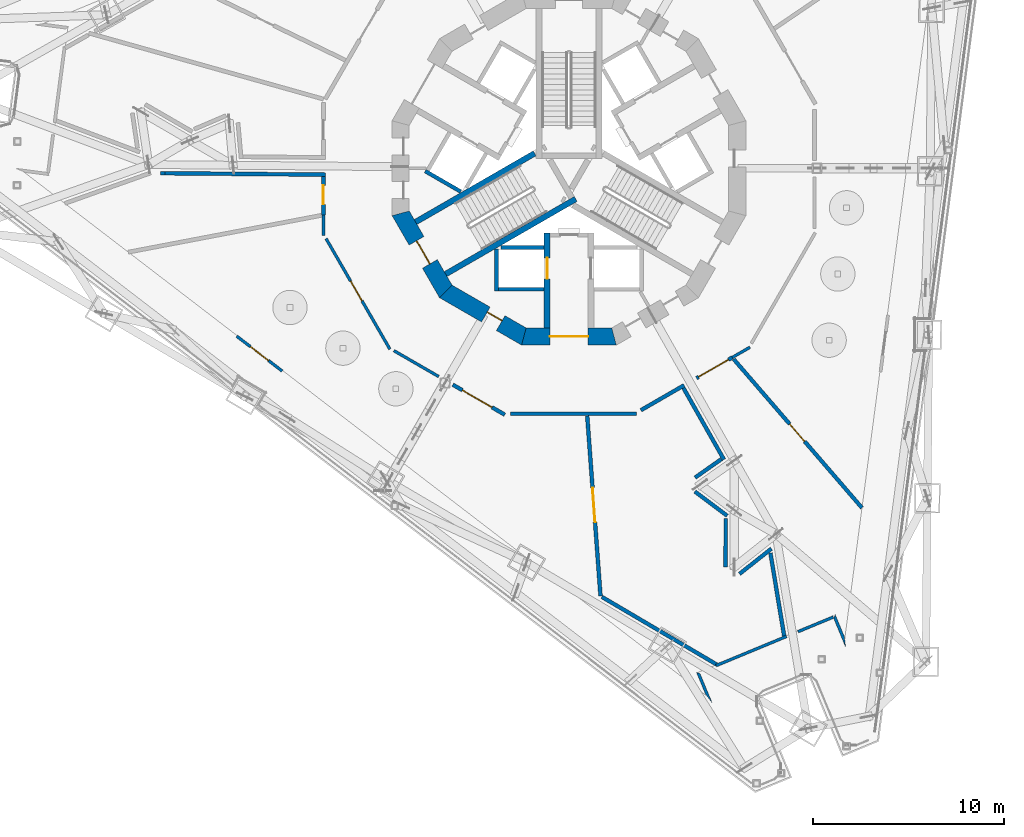
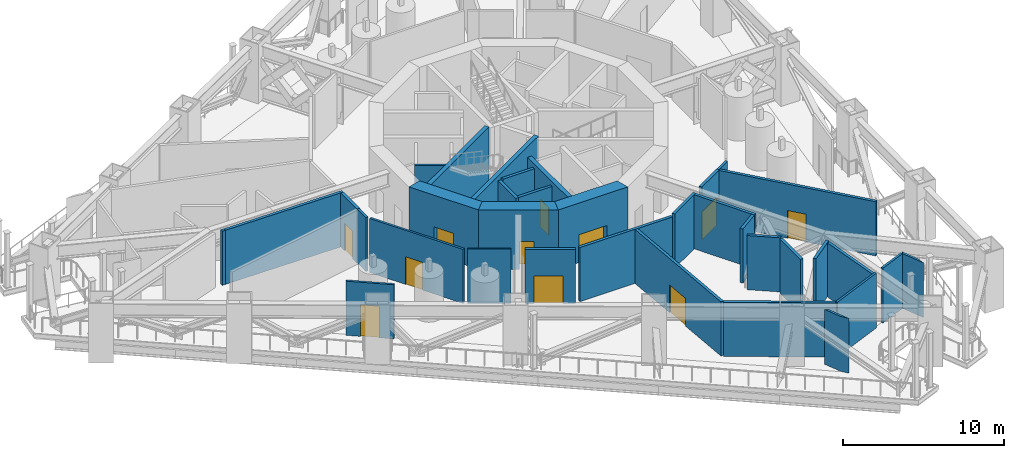
# One storey, part 9 of 23: 35 walls, 11 doors, 11 openings.
"""IFC4 building model written with IfcOpenShell, lengths in metres."""

from ifc_helpers import new_model, si_unit, direction, frame, frame_2d, origin, place, context, subcontext, project, spatial, polyline, rectangle, outline, extrude, material, layer, layer_set, type_object, element, fill, save


model = new_model("IFC4")

# Units and contexts
model_context = context("Model", 3, precision=1e-05, world=origin(), true_north=direction((0.0, 1.0)))
body_context = subcontext(model_context, "Body", "Model", "MODEL_VIEW")
ifc_project = project(units=[si_unit("LENGTHUNIT", "METRE"), si_unit("AREAUNIT", "SQUARE_METRE"), si_unit("VOLUMEUNIT", "CUBIC_METRE"), si_unit("PLANEANGLEUNIT", "RADIAN"), si_unit("MASSUNIT", "GRAM", prefix="KILO")], contexts=[model_context])

# Site, building, storey
site_placement = place(None, origin())
site = spatial("IfcSite", under=ifc_project, at=site_placement, CompositionType="ELEMENT")
building_placement = place(site_placement, origin())
building = spatial("IfcBuilding", under=site, at=building_placement, Name="Trine Commons Tower", CompositionType="ELEMENT")
storey_placement = place(building_placement, frame((0.0, 0.0, 156.60009765625)))
storey = spatial("IfcBuildingStorey", under=building, at=storey_placement, Name="L40", CompositionType="ELEMENT", Elevation=156.60009765625)

# Wall
ifc_material_1 = material(Name="Plasterboard on steel stud", Category="steel")
ifc_layer_1 = layer(ifc_material_1, 0.14990234375)
ifc_layer_set_1 = layer_set([ifc_layer_1], Name="Plasterboard on steel stud")
wall_type_1 = type_object("IfcWallType", Name="Compartment wall 150 mm, EI 60", PredefinedType="PARTITIONING", material=ifc_layer_set_1)
wall_1_placement = place(storey_placement, frame((67.127197265625, 58.975830078125, 0.0), z_axis=(0.0, 0.0, 1.0), x_axis=(0.0, 1.0, 0.0)))
element("IfcWall", 1, at=wall_1_placement, inside=storey, type_object=wall_type_1, Name="Partition M40015", PredefinedType="PARTITIONING", context=body_context, shape_type="SweptSolid", body=[
    extrude(rectangle(XDim=1.072509765625, YDim=0.14990234375, at=frame_2d((0.5361328125, 0.0))), origin(), (0.0, 0.0, 1.0), 4.099853515625),
])

# Wall, opening, door
wall_2_placement = place(storey_placement, frame((70.61376953125, 53.011474609375, 0.0), z_axis=(0.0, 0.0, 1.0), x_axis=(-0.499983455602, 0.866034955486, 0.0)))
wall_2 = element("IfcWall", 2, at=wall_2_placement, inside=storey, type_object=wall_type_1, Name="Partition M40016", PredefinedType="PARTITIONING", context=body_context, shape_type="SweptSolid", body=[
    extrude(rectangle(XDim=6.693603515625, YDim=0.14990234375, at=frame_2d((3.3466796875, 0.0))), origin(), (0.0, 0.0, 1.0), 4.099853515625),
])
opening_1_placement = place(wall_2_placement, frame((2.92431640625, 0.0, 0.0)))
opening_1 = element("IfcOpeningElement", 3, at=opening_1_placement, cuts=wall_2, Name="Opening D-M4002", PredefinedType="OPENING", context=body_context, shape_type="SweptSolid", body=[
    extrude(rectangle(XDim=1.199951171875, YDim=2.10009765625, at=frame_2d((0.60009765625, 1.050048828125))), frame((0.0, 0.0849609375, 0.0), z_axis=(0.0, -1.0, 0.0), x_axis=(1.0, 0.0, 0.0)), (0.0, 0.0, 1.0), 0.169921875),
])
ifc_material_2 = material(Name="Timber fire door set", Category="wood")
door_type_1 = type_object("IfcDoorType", Name="Single swing door 1200x2100, FD30S", OperationType="SINGLE_SWING_LEFT", PredefinedType="DOOR", material=ifc_material_2)
door_1_placement = place(opening_1_placement, origin())
door_1 = element("IfcDoor", 4, at=door_1_placement, inside=storey, type_object=door_type_1, Name="Door D-M4002", OperationType="SINGLE_SWING_LEFT", OverallHeight=2.10009765625, OverallWidth=1.199951171875, PredefinedType="DOOR", context=body_context, shape_type="SweptSolid", body=[
    extrude(rectangle(XDim=1.199951171875, YDim=2.10009765625, at=frame_2d((0.60009765625, 1.050048828125))), frame((0.0, 0.02490234375, 0.0), z_axis=(0.0, -1.0, 0.0), x_axis=(1.0, 0.0, 0.0)), (0.0, 0.0, 1.0), 0.050048828125),
])
fill(opening_1, door_1)

# Walls
wall_3_placement = place(storey_placement, frame((70.81884765625, 52.9365234375, 0.0), z_axis=(0.0, 0.0, 1.0), x_axis=(0.866013666126, -0.50002032967, 0.0)))
element("IfcWall", 5, at=wall_3_placement, inside=storey, type_object=wall_type_1, Name="Partition M40020", PredefinedType="PARTITIONING", context=body_context, shape_type="SweptSolid", body=[
    extrude(rectangle(XDim=2.7197265625, YDim=0.14990234375, at=frame_2d((1.35986328125, 0.0))), origin(), (0.0, 0.0, 1.0), 4.099853515625),
])
wall_4_placement = place(storey_placement, frame((88.5595703125, 52.57763671875, 0.0), z_axis=(0.0, 0.0, 1.0), x_axis=(0.866105995393, 0.499860385252, 0.0)))
element("IfcWall", 6, at=wall_4_placement, inside=storey, type_object=wall_type_1, Name="Partition M40039", PredefinedType="PARTITIONING", context=body_context, shape_type="SweptSolid", body=[
    extrude(rectangle(XDim=1.072509765625, YDim=0.14990234375, at=frame_2d((0.5361328125, 0.0))), origin(), (0.0, 0.0, 1.0), 4.099853515625),
])
ifc_layer_2 = layer(ifc_material_1, 0.199951171875)
ifc_layer_set_2 = layer_set([ifc_layer_2], Name="Plasterboard on steel stud")
wall_type_2 = type_object("IfcWallType", Name="Fire wall 200 mm, EI 120", PredefinedType="PARTITIONING", material=ifc_layer_set_2)
wall_5_placement = place(storey_placement, frame((58.59228515625, 62.23193359375, 0.0), z_axis=(0.0, 0.0, 1.0), x_axis=(0.99991190764, 0.013273166916, 0.0)))
element("IfcWall", 7, at=wall_5_placement, inside=storey, type_object=wall_type_2, Name="Partition M40009", PredefinedType="PARTITIONING", context=body_context, shape_type="SweptSolid", body=[
    extrude(rectangle(XDim=0.220703125, YDim=0.199951171875, at=frame_2d((0.1103515625, 0.0))), origin(), (0.0, 0.0, 1.0), 4.099853515625),
])
wall_6_placement = place(storey_placement, frame((58.818115234375, 62.23486328125, 0.0), z_axis=(0.0, 0.0, 1.0), x_axis=(0.999961798718, -0.008740772511, 0.0)))
element("IfcWall", 8, at=wall_6_placement, inside=storey, type_object=wall_type_2, Name="Partition M40010", PredefinedType="PARTITIONING", context=body_context, shape_type="SweptSolid", body=[
    extrude(rectangle(XDim=8.4072265625, YDim=0.199951171875, at=frame_2d((4.20361328125, 0.0))), origin(), (0.0, 0.0, 1.0), 4.099853515625),
])

# Wall, opening, door
wall_7_placement = place(storey_placement, frame((67.127197265625, 60.0478515625, 0.0), z_axis=(0.0, 0.0, 1.0), x_axis=(0.0, 1.0, 0.0)))
wall_7 = element("IfcWall", 9, at=wall_7_placement, inside=storey, type_object=wall_type_2, Name="Partition M40017", PredefinedType="PARTITIONING", context=body_context, shape_type="SweptSolid", body=[
    extrude(rectangle(XDim=2.013671875, YDim=0.199951171875, at=frame_2d((1.0068359375, 0.0))), origin(), (0.0, 0.0, 1.0), 4.099853515625),
])
opening_2_placement = place(wall_7_placement, frame((0.557373046875, 0.0, 0.0)))
opening_2 = element("IfcOpeningElement", 10, at=opening_2_placement, cuts=wall_7, Name="Opening D-M4003", PredefinedType="OPENING", context=body_context, shape_type="SweptSolid", body=[
    extrude(rectangle(XDim=1.0, YDim=2.10009765625, at=frame_2d((0.5, 1.050048828125))), frame((0.0, 0.10986328125, 0.0), z_axis=(0.0, -1.0, 0.0), x_axis=(1.0, 0.0, 0.0)), (0.0, 0.0, 1.0), 0.219970703125),
])
door_type_2 = type_object("IfcDoorType", Name="Single swing door 1000x2100, FD60", OperationType="SINGLE_SWING_LEFT", PredefinedType="DOOR", material=ifc_material_2)
door_2_placement = place(opening_2_placement, origin())
door_2 = element("IfcDoor", 11, at=door_2_placement, inside=storey, type_object=door_type_2, Name="Door D-M4003", OperationType="SINGLE_SWING_LEFT", OverallHeight=2.10009765625, OverallWidth=1.0, PredefinedType="DOOR", context=body_context, shape_type="SweptSolid", body=[
    extrude(rectangle(XDim=1.0, YDim=2.10009765625, at=frame_2d((0.5, 1.050048828125))), frame((0.0, 0.02490234375, 0.0), z_axis=(0.0, -1.0, 0.0), x_axis=(1.0, 0.0, 0.0)), (0.0, 0.0, 1.0), 0.050048828125),
])
fill(opening_2, door_2)

wall_8_placement = place(storey_placement, frame((73.909912109375, 51.15185546875, 0.0), z_axis=(0.0, 0.0, 1.0), x_axis=(0.866011299867, -0.500024427906, 0.0)))
wall_8 = element("IfcWall", 12, at=wall_8_placement, inside=storey, type_object=wall_type_2, Name="Partition M40022", PredefinedType="PARTITIONING", context=body_context, shape_type="SweptSolid", body=[
    extrude(rectangle(XDim=3.149169921875, YDim=0.199951171875, at=frame_2d((1.57470703125, 0.0))), origin(), (0.0, 0.0, 1.0), 4.099853515625),
])
opening_3_placement = place(wall_8_placement, frame((0.574462890625, 0.0, 0.0)))
opening_3 = element("IfcOpeningElement", 13, at=opening_3_placement, cuts=wall_8, Name="Opening D-M4006", PredefinedType="OPENING", context=body_context, shape_type="SweptSolid", body=[
    extrude(rectangle(XDim=1.800048828125, YDim=2.10009765625, at=frame_2d((0.89990234375, 1.050048828125))), frame((0.0, 0.10986328125, 0.0), z_axis=(0.0, -1.0, 0.0), x_axis=(1.0, 0.0, 0.0)), (0.0, 0.0, 1.0), 0.219970703125),
])
door_type_3 = type_object("IfcDoorType", Name="Double swing door 1800x2100, FD60", OperationType="DOUBLE_DOOR_DOUBLE_SWING", PredefinedType="DOOR", material=ifc_material_2)
door_3_placement = place(opening_3_placement, origin())
door_3 = element("IfcDoor", 14, at=door_3_placement, inside=storey, type_object=door_type_3, Name="Door D-M4006", OperationType="DOUBLE_DOOR_DOUBLE_SWING", OverallHeight=2.10009765625, OverallWidth=1.800048828125, PredefinedType="DOOR", context=body_context, shape_type="SweptSolid", body=[
    extrude(rectangle(XDim=1.800048828125, YDim=2.10009765625, at=frame_2d((0.89990234375, 1.050048828125))), frame((0.0, 0.02490234375, 0.0), z_axis=(0.0, -1.0, 0.0), x_axis=(1.0, 0.0, 0.0)), (0.0, 0.0, 1.0), 0.050048828125),
])
fill(opening_3, door_3)

# Wall
wall_9_placement = place(storey_placement, frame((76.923828125, 49.627197265625, 0.0), z_axis=(0.0, 0.0, 1.0), x_axis=(1.0, 0.0, 0.0)))
element("IfcWall", 15, at=wall_9_placement, inside=storey, type_object=wall_type_2, Name="Partition M40024", PredefinedType="PARTITIONING", context=body_context, shape_type="SweptSolid", body=[
    extrude(rectangle(XDim=6.62548828125, YDim=0.199951171875, at=frame_2d((3.312744140625, 0.0))), origin(), (0.0, 0.0, 1.0), 4.099853515625),
])

# Wall, opening, door
wall_10_placement = place(storey_placement, frame((81.653564453125, 40.069580078125, 0.0), z_axis=(0.0, 0.0, 1.0), x_axis=(-0.073531927059, 0.997292863558, 0.0)))
wall_10 = element("IfcWall", 16, at=wall_10_placement, inside=storey, type_object=wall_type_2, Name="Partition M40026", PredefinedType="PARTITIONING", context=body_context, shape_type="SweptSolid", body=[
    extrude(rectangle(XDim=9.475830078125, YDim=0.199951171875, at=frame_2d((4.73779296875, 0.0))), origin(), (0.0, 0.0, 1.0), 4.099853515625),
])
opening_4_placement = place(wall_10_placement, frame((3.8916015625, 0.0, 0.0)))
opening_4 = element("IfcOpeningElement", 17, at=opening_4_placement, cuts=wall_10, Name="Opening D-M4007", PredefinedType="OPENING", context=body_context, shape_type="SweptSolid", body=[
    extrude(rectangle(XDim=1.800048828125, YDim=2.10009765625, at=frame_2d((0.89990234375, 1.050048828125))), frame((0.0, 0.10986328125, 0.0), z_axis=(0.0, -1.0, 0.0), x_axis=(1.0, 0.0, 0.0)), (0.0, 0.0, 1.0), 0.219970703125),
])
door_4_placement = place(opening_4_placement, origin())
door_4 = element("IfcDoor", 18, at=door_4_placement, inside=storey, type_object=door_type_3, Name="Door D-M4007", OperationType="DOUBLE_DOOR_DOUBLE_SWING", OverallHeight=2.10009765625, OverallWidth=1.800048828125, PredefinedType="DOOR", context=body_context, shape_type="SweptSolid", body=[
    extrude(rectangle(XDim=1.800048828125, YDim=2.10009765625, at=frame_2d((0.89990234375, 1.050048828125))), frame((0.0, 0.02490234375, 0.0), z_axis=(0.0, -1.0, 0.0), x_axis=(1.0, 0.0, 0.0)), (0.0, 0.0, 1.0), 0.050048828125),
])
fill(opening_4, door_4)

# Walls
wall_11_placement = place(storey_placement, frame((81.724609375, 40.027587890625, 0.0), z_axis=(0.0, 0.0, 1.0), x_axis=(0.861625197784, -0.507545090158, 0.0)))
element("IfcWall", 19, at=wall_11_placement, inside=storey, type_object=wall_type_2, Name="Partition M40027", PredefinedType="PARTITIONING", context=body_context, shape_type="SweptSolid", body=[
    extrude(rectangle(XDim=6.990234375, YDim=0.199951171875, at=frame_2d((3.4951171875, 0.0))), origin(), (0.0, 0.0, 1.0), 4.099853515625),
])
wall_12_placement = place(storey_placement, frame((83.7724609375, 49.813720703125, 0.0), z_axis=(0.0, 0.0, 1.0), x_axis=(0.866033156767, 0.499986571201, 0.0)))
element("IfcWall", 20, at=wall_12_placement, inside=storey, type_object=wall_type_2, Name="Partition M40028", PredefinedType="PARTITIONING", context=body_context, shape_type="SweptSolid", body=[
    extrude(rectangle(XDim=2.61376953125, YDim=0.199951171875, at=frame_2d((1.306884765625, 0.0))), origin(), (0.0, 0.0, 1.0), 4.099853515625),
])
wall_13_placement = place(storey_placement, frame((86.0, 50.98095703125, 0.0), z_axis=(0.0, 0.0, 1.0), x_axis=(0.492474584275, -0.870326825878, 0.0)))
element("IfcWall", 21, at=wall_13_placement, inside=storey, type_object=wall_type_2, Name="Partition M40032", PredefinedType="PARTITIONING", context=body_context, shape_type="SweptSolid", body=[
    extrude(rectangle(XDim=4.3173828125, YDim=0.199951171875, at=frame_2d((2.15869140625, 0.0))), origin(), (0.0, 0.0, 1.0), 4.099853515625),
])
wall_14_placement = place(storey_placement, frame((86.60107421875, 45.552001953125, 0.0), z_axis=(0.0, 0.0, 1.0), x_axis=(0.800027657842, -0.599963121107, 0.0)))
element("IfcWall", 22, at=wall_14_placement, inside=storey, type_object=wall_type_2, Name="Partition M40033", PredefinedType="PARTITIONING", context=body_context, shape_type="SweptSolid", body=[
    extrude(rectangle(XDim=2.118408203125, YDim=0.199951171875, at=frame_2d((1.05908203125, 0.0))), origin(), (0.0, 0.0, 1.0), 4.099853515625),
])
wall_15_placement = place(storey_placement, frame((86.612060546875, 46.280029296875, 0.0), z_axis=(0.0, 0.0, 1.0), x_axis=(0.817933020714, 0.575313456843, 0.0)))
element("IfcWall", 23, at=wall_15_placement, inside=storey, type_object=wall_type_2, Name="Partition M40034", PredefinedType="PARTITIONING", context=body_context, shape_type="SweptSolid", body=[
    extrude(rectangle(XDim=1.680419921875, YDim=0.199951171875, at=frame_2d((0.84033203125, 0.0))), origin(), (0.0, 0.0, 1.0), 4.099853515625),
])

# Wall, opening, door
wall_16_placement = place(storey_placement, frame((86.685546875, 51.49560546875, 0.0), z_axis=(0.0, 0.0, 1.0), x_axis=(0.866020293397, 0.500008851346, 0.0)))
wall_16 = element("IfcWall", 24, at=wall_16_placement, inside=storey, type_object=wall_type_2, Name="Partition M40035", PredefinedType="PARTITIONING", context=body_context, shape_type="SweptSolid", body=[
    extrude(rectangle(XDim=2.16455078125, YDim=0.199951171875, at=frame_2d((1.082275390625, 0.0))), origin(), (0.0, 0.0, 1.0), 4.099853515625),
])
opening_5_placement = place(wall_16_placement, frame((0.132080078125, 0.0, 0.0)))
opening_5 = element("IfcOpeningElement", 25, at=opening_5_placement, cuts=wall_16, Name="Opening D-M4010", PredefinedType="OPENING", context=body_context, shape_type="SweptSolid", body=[
    extrude(rectangle(XDim=1.800048828125, YDim=2.10009765625, at=frame_2d((0.89990234375, 1.050048828125))), frame((0.0, 0.10986328125, 0.0), z_axis=(0.0, -1.0, 0.0), x_axis=(1.0, 0.0, 0.0)), (0.0, 0.0, 1.0), 0.219970703125),
])
door_5_placement = place(opening_5_placement, origin())
door_5 = element("IfcDoor", 26, at=door_5_placement, inside=storey, type_object=door_type_3, Name="Door D-M4010", OperationType="DOUBLE_DOOR_DOUBLE_SWING", OverallHeight=2.10009765625, OverallWidth=1.800048828125, PredefinedType="DOOR", context=body_context, shape_type="SweptSolid", body=[
    extrude(rectangle(XDim=1.800048828125, YDim=2.10009765625, at=frame_2d((0.89990234375, 1.050048828125))), frame((0.0, 0.02490234375, 0.0), z_axis=(0.0, -1.0, 0.0), x_axis=(1.0, 0.0, 0.0)), (0.0, 0.0, 1.0), 0.050048828125),
])
fill(opening_5, door_5)

# Wall
wall_17_placement = place(storey_placement, frame((88.212646484375, 41.587158203125, 0.0), z_axis=(0.0, 0.0, 1.0), x_axis=(0.001242591279, 0.999999227983, 0.0)))
element("IfcWall", 27, at=wall_17_placement, inside=storey, type_object=wall_type_2, Name="Partition M40038", PredefinedType="PARTITIONING", context=body_context, shape_type="SweptSolid", body=[
    extrude(rectangle(XDim=2.55419921875, YDim=0.199951171875, at=frame_2d((1.277099609375, 0.0))), origin(), (0.0, 0.0, 1.0), 4.099853515625),
])

# Wall, opening, door
wall_18_placement = place(storey_placement, frame((95.360595703125, 44.6943359375, 0.0), z_axis=(0.0, 0.0, 1.0), x_axis=(-0.653212721377, 0.757174445311, 0.0)))
wall_18 = element("IfcWall", 28, at=wall_18_placement, inside=storey, type_object=wall_type_2, Name="Partition M40040", PredefinedType="PARTITIONING", context=body_context, shape_type="SweptSolid", body=[
    extrude(rectangle(XDim=10.29052734375, YDim=0.199951171875, at=frame_2d((5.145263671875, 0.0))), origin(), (0.0, 0.0, 1.0), 4.099853515625),
])
opening_6_placement = place(wall_18_placement, frame((4.605712890625, 0.0, 0.0)))
opening_6 = element("IfcOpeningElement", 29, at=opening_6_placement, cuts=wall_18, Name="Opening D-M4012", PredefinedType="OPENING", context=body_context, shape_type="SweptSolid", body=[
    extrude(rectangle(XDim=1.199951171875, YDim=2.10009765625, at=frame_2d((0.60009765625, 1.050048828125))), frame((0.0, 0.10986328125, 0.0), z_axis=(0.0, -1.0, 0.0), x_axis=(1.0, 0.0, 0.0)), (0.0, 0.0, 1.0), 0.219970703125),
])
door_type_4 = type_object("IfcDoorType", Name="Single swing door 1200x2100, FD60", OperationType="SINGLE_SWING_LEFT", PredefinedType="DOOR", material=ifc_material_2)
door_6_placement = place(opening_6_placement, origin())
door_6 = element("IfcDoor", 30, at=door_6_placement, inside=storey, type_object=door_type_4, Name="Door D-M4012", OperationType="SINGLE_SWING_LEFT", OverallHeight=2.10009765625, OverallWidth=1.199951171875, PredefinedType="DOOR", context=body_context, shape_type="SweptSolid", body=[
    extrude(rectangle(XDim=1.199951171875, YDim=2.10009765625, at=frame_2d((0.60009765625, 1.050048828125))), frame((0.0, 0.02490234375, 0.0), z_axis=(0.0, -1.0, 0.0), x_axis=(1.0, 0.0, 0.0)), (0.0, 0.0, 1.0), 0.050048828125),
])
fill(opening_6, door_6)

# Walls
wall_19_placement = place(storey_placement, frame((88.94189453125, 41.233642578125, 0.0), z_axis=(0.0, 0.0, 1.0), x_axis=(0.78416903632, 0.620547276585, 0.0)))
element("IfcWall", 31, at=wall_19_placement, inside=storey, type_object=wall_type_2, Name="Partition M40041", PredefinedType="PARTITIONING", context=body_context, shape_type="SweptSolid", body=[
    extrude(rectangle(XDim=2.129150390625, YDim=0.199951171875, at=frame_2d((1.064453125, 0.0))), origin(), (0.0, 0.0, 1.0), 4.099853515625),
])
wall_20_placement = place(storey_placement, frame((90.560791015625, 42.325439453125, 0.0), z_axis=(0.0, 0.0, 1.0), x_axis=(0.16372116792, -0.9865066544, 0.0)))
element("IfcWall", 32, at=wall_20_placement, inside=storey, type_object=wall_type_2, Name="Partition M40046", PredefinedType="PARTITIONING", context=body_context, shape_type="SweptSolid", body=[
    extrude(rectangle(XDim=4.439208984375, YDim=0.199951171875, at=frame_2d((2.2197265625, 0.0))), origin(), (0.0, 0.0, 1.0), 4.099853515625),
])

# Wall, opening, door
ifc_material_3 = material(Name="Aluminium-framed insulated wall panel", Category="aluminium")
ifc_layer_3 = layer(ifc_material_3, 0.14990234375)
ifc_layer_set_3 = layer_set([ifc_layer_3], Name="Aluminium-framed insulated wall panel")
wall_type_3 = type_object("IfcWallType", Name="Gallery frame wall 150 mm, EI 60", PredefinedType="SOLIDWALL", material=ifc_layer_set_3)
wall_21_placement = place(storey_placement, frame((64.96533203125, 51.866943359375, 0.0), z_axis=(0.0, 0.0, 1.0), x_axis=(-0.793340402163, 0.608778289935, 0.0)))
wall_21 = element("IfcWall", 33, at=wall_21_placement, inside=storey, type_object=wall_type_3, Name="Gallery frame wall L40 F3", PredefinedType="SOLIDWALL", context=body_context, shape_type="SweptSolid", body=[
    extrude(rectangle(XDim=3.000244140625, YDim=0.14990234375, at=frame_2d((1.5, 0.0))), origin(), (0.0, 0.0, 1.0), 4.099853515625),
])
opening_7_placement = place(wall_21_placement, frame((0.89990234375, 0.0, 0.0)))
opening_7 = element("IfcOpeningElement", 34, at=opening_7_placement, cuts=wall_21, Name="Opening D-GD3", PredefinedType="OPENING", context=body_context, shape_type="SweptSolid", body=[
    extrude(rectangle(XDim=1.199951171875, YDim=2.39990234375, at=frame_2d((0.60009765625, 1.199951171875))), frame((0.0, 0.0849609375, 0.0), z_axis=(0.0, -1.0, 0.0), x_axis=(1.0, 0.0, 0.0)), (0.0, 0.0, 1.0), 0.169921875),
])
ifc_material_4 = material(Name="Anodised aluminium frame with double glazing", Category="aluminium")
door_type_5 = type_object("IfcDoorType", Name="Gallery sliding door 1200x2400", OperationType="SLIDING_TO_LEFT", PredefinedType="DOOR", material=ifc_material_4)
door_7_placement = place(opening_7_placement, origin())
door_7 = element("IfcDoor", 35, at=door_7_placement, inside=storey, type_object=door_type_5, Name="Gallery service door L40 F3", OperationType="SLIDING_TO_LEFT", OverallHeight=2.39990234375, OverallWidth=1.199951171875, PredefinedType="DOOR", context=body_context, shape_type="SweptSolid", body=[
    extrude(rectangle(XDim=1.199951171875, YDim=2.39990234375, at=frame_2d((0.60009765625, 1.199951171875))), frame((0.0, 0.02490234375, 0.0), z_axis=(0.0, -1.0, 0.0), x_axis=(1.0, 0.0, 0.0)), (0.0, 0.0, 1.0), 0.050048828125),
])
fill(opening_7, door_7)

# Walls
ifc_material_5 = material(Name="Anodised aluminium louvre blades in an aluminium frame, alloy 6063-T6", Category="aluminium")
ifc_layer_4 = layer(ifc_material_5, 0.14990234375)
ifc_layer_set_4 = layer_set([ifc_layer_4], Name="Anodised aluminium louvre blades in an aluminium frame, alloy 6063-T6")
wall_type_4 = type_object("IfcWallType", Name="Louvre screen wall 150", PredefinedType="SOLIDWALL", material=ifc_layer_set_4)
wall_22_placement = place(storey_placement, frame((94.42041015625, 37.78564453125, 0.0), z_axis=(0.0, 0.0, 1.0), x_axis=(-0.382629665579, 0.923901801611, 0.0)))
element("IfcWall", 36, at=wall_22_placement, inside=storey, type_object=wall_type_4, Name="Louvre screen L40-09", PredefinedType="SOLIDWALL", context=body_context, shape_type="SweptSolid", body=[
    extrude(outline(polyline([(0.1494140625, -0.074951171875), (1.385009765625, -0.074951171875), (1.235107421875, 0.074951171875), (-0.410400390625, 0.074951171875), (0.1494140625, -0.074951171875)])), origin(), (0.0, 0.0, 1.0), 4.14990234375),
])
wall_23_placement = place(storey_placement, frame((93.859130859375, 38.97119140625, 0.0), z_axis=(0.0, 0.0, 1.0), x_axis=(-0.92387873318, -0.382685362115, 0.0)))
element("IfcWall", 37, at=wall_23_placement, inside=storey, type_object=wall_type_4, Name="Louvre screen L40-10", PredefinedType="SOLIDWALL", context=body_context, shape_type="SweptSolid", body=[
    extrude(rectangle(XDim=2.00390625, YDim=0.14990234375, at=frame_2d((1.001953125, 0.0))), origin(), (0.0, 0.0, 1.0), 4.14990234375),
])
wall_24_placement = place(storey_placement, frame((91.405517578125, 37.954833984375, 0.0), z_axis=(0.0, 0.0, 1.0), x_axis=(-0.923894814104, -0.382646537254, 0.0)))
element("IfcWall", 38, at=wall_24_placement, inside=storey, type_object=wall_type_4, Name="Louvre screen L40-11", PredefinedType="SOLIDWALL", context=body_context, shape_type="SweptSolid", body=[
    extrude(rectangle(XDim=3.999267578125, YDim=0.14990234375, at=frame_2d((1.99951171875, 0.0))), origin(), (0.0, 0.0, 1.0), 4.14990234375),
])
wall_25_placement = place(storey_placement, frame((86.76416015625, 36.0703125, 0.0), z_axis=(0.0, 0.0, 1.0), x_axis=(0.382629665579, -0.923901801611, 0.0)))
element("IfcWall", 39, at=wall_25_placement, inside=storey, type_object=wall_type_4, Name="Louvre screen L40-12", PredefinedType="SOLIDWALL", context=body_context, shape_type="SweptSolid", body=[
    extrude(outline(polyline([(-0.0400390625, -0.074951171875), (1.19580078125, -0.074951171875), (1.755615234375, 0.074951171875), (0.110107421875, 0.074951171875), (-0.0400390625, -0.074951171875)])), origin(), (0.0, 0.0, 1.0), 4.14990234375),
])

# Wall, opening, door
ifc_material_6 = material(Name="Concrete C60/75", Category="concrete")
ifc_layer_5 = layer(ifc_material_6, 0.300048828125)
ifc_layer_set_5 = layer_set([ifc_layer_5], Name="Concrete C60/75")
wall_type_5 = type_object("IfcWallType", Name="RC shear wall 300 mm, C60/75", PredefinedType="SHEAR", material=ifc_layer_set_5)
wall_26_placement = place(storey_placement, frame((78.85009765625, 59.10009765625, 0.0), z_axis=(0.0, 0.0, 1.0), x_axis=(0.0, -1.0, 0.0)))
wall_26 = element("IfcWall", 40, at=wall_26_placement, inside=storey, type_object=wall_type_5, Name="Core cross wall SWB-03 L40", PredefinedType="SHEAR", context=body_context, shape_type="SweptSolid", body=[
    extrude(rectangle(XDim=4.97314453125, YDim=0.300048828125, at=frame_2d((2.486572265625, 0.0))), origin(), (0.0, 0.0, 1.0), 4.5),
])
opening_8_placement = place(wall_26_placement, frame((1.300048828125, 0.0, 0.0)))
opening_8 = element("IfcOpeningElement", 41, at=opening_8_placement, cuts=wall_26, Name="Opening LD10", PredefinedType="OPENING", context=body_context, shape_type="SweptSolid", body=[
    extrude(rectangle(XDim=1.10009765625, YDim=2.10009765625, at=frame_2d((0.550048828125, 1.050048828125))), frame((0.0, 0.159912109375, 0.0), z_axis=(0.0, -1.0, 0.0), x_axis=(1.0, 0.0, 0.0)), (0.0, 0.0, 1.0), 0.320068359375),
])
ifc_material_7 = material(Name="Stainless steel sliding door leaves", Category="steel")
door_type_6 = type_object("IfcDoorType", Name="Lift landing door, centre-opening sliding 1100 x 2100, FD90", OperationType="DOUBLE_DOOR_SLIDING", PredefinedType="DOOR", material=ifc_material_7)
door_8_placement = place(opening_8_placement, origin())
door_8 = element("IfcDoor", 42, at=door_8_placement, inside=storey, type_object=door_type_6, Name="Lift landing door FF2 L40", OperationType="DOUBLE_DOOR_SLIDING", OverallHeight=2.10009765625, OverallWidth=1.10009765625, PredefinedType="DOOR", context=body_context, shape_type="SweptSolid", body=[
    extrude(rectangle(XDim=1.10009765625, YDim=2.10009765625, at=frame_2d((0.550048828125, 1.050048828125))), frame((0.0, 0.02490234375, 0.0), z_axis=(0.0, -1.0, 0.0), x_axis=(1.0, 0.0, 0.0)), (0.0, 0.0, 1.0), 0.050048828125),
])
fill(opening_8, door_8)

# Walls
wall_27_placement = place(storey_placement, frame((78.199951171875, 63.280029296875, 0.0), z_axis=(0.0, 0.0, 1.0), x_axis=(-0.866028135082, -0.499995269223, 0.0)))
element("IfcWall", 43, at=wall_27_placement, inside=storey, type_object=wall_type_5, Name="Core cross wall SWB-07 L40", PredefinedType="SHEAR", context=body_context, shape_type="SweptSolid", body=[
    extrude(rectangle(XDim=7.2041015625, YDim=0.300048828125, at=frame_2d((3.60205078125, 0.0))), origin(), (0.0, 0.0, 1.0), 4.5),
])
wall_28_placement = place(storey_placement, frame((80.35400390625, 60.885986328125, 0.0), z_axis=(0.0, 0.0, 1.0), x_axis=(-0.866047706748, -0.499961368145, 0.0)))
element("IfcWall", 44, at=wall_28_placement, inside=storey, type_object=wall_type_5, Name="Core cross wall SWB-14 L40", PredefinedType="SHEAR", context=body_context, shape_type="SweptSolid", body=[
    extrude(rectangle(XDim=7.87255859375, YDim=0.300048828125, at=frame_2d((3.936279296875, 0.0))), origin(), (0.0, 0.0, 1.0), 4.5),
])

# Wall, opening, door
ifc_layer_6 = layer(ifc_material_6, 0.89990234375)
ifc_layer_set_6 = layer_set([ifc_layer_6], Name="Concrete C60/75")
wall_type_6 = type_object("IfcWallType", Name="RC shear wall 900 mm, C60/75", PredefinedType="SHEAR", material=ifc_layer_set_6)
wall_29_placement = place(storey_placement, frame((71.11669921875, 60.240234375, 0.0), z_axis=(0.0, 0.0, 1.0), x_axis=(0.500038571144, -0.866003133579, 0.0)))
wall_29 = element("IfcWall", 45, at=wall_29_placement, inside=storey, type_object=wall_type_6, Name="Core wall CWE-08 L40", PredefinedType="SHEAR", context=body_context, shape_type="SweptSolid", body=[
    extrude(outline(polyline([(0.0, -0.449951171875), (4.96923828125, -0.449951171875), (4.72802734375, 0.449951171875), (0.2412109375, 0.449951171875), (0.0, -0.449951171875)])), origin(), (0.0, 0.0, 1.0), 4.5),
])
opening_9_placement = place(wall_29_placement, frame((1.78466796875, 0.0, 0.0)))
opening_9 = element("IfcOpeningElement", 46, at=opening_9_placement, cuts=wall_29, Name="Opening K13.02", PredefinedType="OPENING", context=body_context, shape_type="SweptSolid", body=[
    extrude(rectangle(XDim=1.39990234375, YDim=2.10009765625, at=frame_2d((0.699951171875, 1.050048828125))), frame((0.0, 0.4599609375, 0.0), z_axis=(0.0, -1.0, 0.0), x_axis=(1.0, 0.0, 0.0)), (0.0, 0.0, 1.0), 0.919921875),
])
ifc_material_8 = material(Name="Steel door leaves, fire-rated", Category="steel")
door_type_7 = type_object("IfcDoorType", Name="Stair door, double leaf 1400 x 2100, FD90", OperationType="DOUBLE_DOOR_SINGLE_SWING", PredefinedType="DOOR", material=ifc_material_8)
door_9_placement = place(opening_9_placement, origin())
door_9 = element("IfcDoor", 47, at=door_9_placement, inside=storey, type_object=door_type_7, Name="Stair door to Exit stair ST2B L40", OperationType="DOUBLE_DOOR_SINGLE_SWING", OverallHeight=2.10009765625, OverallWidth=1.39990234375, PredefinedType="DOOR", context=body_context, shape_type="SweptSolid", body=[
    extrude(rectangle(XDim=1.39990234375, YDim=2.10009765625, at=frame_2d((0.699951171875, 1.050048828125))), frame((0.0, 0.02490234375, 0.0), z_axis=(0.0, -1.0, 0.0), x_axis=(1.0, 0.0, 0.0)), (0.0, 0.0, 1.0), 0.050048828125),
])
fill(opening_9, door_9)

wall_30_placement = place(storey_placement, frame((73.436767578125, 56.1015625, 0.0), z_axis=(0.0, 0.0, 1.0), x_axis=(0.866003133579, -0.500038571144, 0.0)))
wall_30 = element("IfcWall", 48, at=wall_30_placement, inside=storey, type_object=wall_type_6, Name="Core wall CWE-09 L40", PredefinedType="SHEAR", context=body_context, shape_type="SweptSolid", body=[
    extrude(outline(polyline([(0.0, -0.449951171875), (4.96923828125, -0.449951171875), (4.72802734375, 0.449951171875), (0.2412109375, 0.449951171875), (0.0, -0.449951171875)])), origin(), (0.0, 0.0, 1.0), 4.5),
])
opening_10_placement = place(wall_30_placement, frame((2.5458984375, 0.0, 0.0)))
opening_10 = element("IfcOpeningElement", 49, at=opening_10_placement, cuts=wall_30, Name="Opening K13.16", PredefinedType="OPENING", context=body_context, shape_type="SweptSolid", body=[
    extrude(rectangle(XDim=0.89990234375, YDim=2.10009765625, at=frame_2d((0.449951171875, 1.050048828125))), frame((0.0, 0.4599609375, 0.0), z_axis=(0.0, -1.0, 0.0), x_axis=(1.0, 0.0, 0.0)), (0.0, 0.0, 1.0), 0.919921875),
])
ifc_material_9 = material(Name="Steel door leaf, fire-rated", Category="steel")
door_type_8 = type_object("IfcDoorType", Name="Core room door, single leaf 900 x 2100, FD30S", OperationType="SINGLE_SWING_LEFT", PredefinedType="DOOR", material=ifc_material_9)
door_10_placement = place(opening_10_placement, origin())
door_10 = element("IfcDoor", 50, at=door_10_placement, inside=storey, type_object=door_type_8, Name="Door to Plant room L40", OperationType="SINGLE_SWING_RIGHT", OverallHeight=2.10009765625, OverallWidth=0.89990234375, PredefinedType="DOOR", context=body_context, shape_type="SweptSolid", body=[
    extrude(rectangle(XDim=0.89990234375, YDim=2.10009765625, at=frame_2d((0.449951171875, 1.050048828125))), frame((0.0, 0.1748046875, 0.0), z_axis=(0.0, -1.0, 0.0), x_axis=(1.0, 0.0, 0.0)), (0.0, 0.0, 1.0), 0.050048828125),
])
fill(opening_10, door_10)

wall_31_placement = place(storey_placement, frame((77.515380859375, 53.677001953125, 0.0), z_axis=(0.0, 0.0, 1.0), x_axis=(1.0, 0.0, 0.0)))
wall_31 = element("IfcWall", 51, at=wall_31_placement, inside=storey, type_object=wall_type_6, Name="Core wall CWE-10 L40", PredefinedType="SHEAR", context=body_context, shape_type="SweptSolid", body=[
    extrude(outline(polyline([(0.0, -0.449951171875), (4.969482421875, -0.449951171875), (4.728271484375, 0.449951171875), (0.2412109375, 0.449951171875), (0.0, -0.449951171875)])), origin(), (0.0, 0.0, 1.0), 4.5),
])
opening_11_placement = place(wall_31_placement, frame((1.484619140625, 0.0, 0.0)))
opening_11 = element("IfcOpeningElement", 52, at=opening_11_placement, cuts=wall_31, Name="Opening K13.08", PredefinedType="OPENING", context=body_context, shape_type="SweptSolid", body=[
    extrude(rectangle(XDim=2.0, YDim=2.10009765625, at=frame_2d((1.0, 1.050048828125))), frame((0.0, 0.4599609375, 0.0), z_axis=(0.0, -1.0, 0.0), x_axis=(1.0, 0.0, 0.0)), (0.0, 0.0, 1.0), 0.919921875),
])
door_type_9 = type_object("IfcDoorType", Name="Lobby door, double leaf 2000 x 2100, FD60", OperationType="DOUBLE_DOOR_SINGLE_SWING", PredefinedType="DOOR", material=ifc_material_8)
door_11_placement = place(opening_11_placement, origin())
door_11 = element("IfcDoor", 53, at=door_11_placement, inside=storey, type_object=door_type_9, Name="Lobby door, Service and firefighting lobby L40", OperationType="DOUBLE_DOOR_SINGLE_SWING", OverallHeight=2.10009765625, OverallWidth=2.0, PredefinedType="DOOR", context=body_context, shape_type="SweptSolid", body=[
    extrude(rectangle(XDim=2.0, YDim=2.10009765625, at=frame_2d((1.0, 1.050048828125))), frame((0.0, 0.02490234375, 0.0), z_axis=(0.0, -1.0, 0.0), x_axis=(1.0, 0.0, 0.0)), (0.0, 0.0, 1.0), 0.050048828125),
])
fill(opening_11, door_11)

# Walls
ifc_material_10 = material(Name="Fire-rated gypsum shaft wall system")
ifc_layer_7 = layer(ifc_material_10, 0.199951171875)
ifc_layer_set_7 = layer_set([ifc_layer_7], Name="Fire-rated gypsum shaft wall system")
wall_type_7 = type_object("IfcWallType", Name="Shaft wall 200 mm, EI 120", PredefinedType="PARTITIONING", material=ifc_layer_set_7)
wall_32_placement = place(storey_placement, frame((74.324951171875, 61.27392578125, 0.0), z_axis=(0.0, 0.0, 1.0), x_axis=(-0.866102336459, 0.499866725018, 0.0)))
element("IfcWall", 54, at=wall_32_placement, inside=storey, type_object=wall_type_7, Name="Shaft wall L40", PredefinedType="PARTITIONING", context=body_context, shape_type="SweptSolid", body=[
    extrude(rectangle(XDim=2.1484375, YDim=0.199951171875, at=frame_2d((1.07421875, 0.0))), origin(), (0.0, 0.0, 1.0), 4.14990234375),
])
wall_33_placement = place(storey_placement, frame((76.199951171875, 58.257080078125, 0.0), z_axis=(0.0, 0.0, 1.0), x_axis=(0.0, -1.0, 0.0)))
element("IfcWall", 55, at=wall_33_placement, inside=storey, type_object=wall_type_7, Name="Shaft wall L40", PredefinedType="PARTITIONING", context=body_context, shape_type="SweptSolid", body=[
    extrude(rectangle(XDim=2.20703125, YDim=0.199951171875, at=frame_2d((1.103515625, 0.0))), origin(), (0.0, 0.0, 1.0), 4.14990234375),
])
wall_34_placement = place(storey_placement, frame((78.699951171875, 56.14990234375, 0.0), z_axis=(0.0, 0.0, 1.0), x_axis=(-1.0, 0.0, 0.0)))
element("IfcWall", 56, at=wall_34_placement, inside=storey, type_object=wall_type_7, Name="Shaft wall L40", PredefinedType="PARTITIONING", context=body_context, shape_type="SweptSolid", body=[
    extrude(rectangle(XDim=2.39990234375, YDim=0.199951171875, at=frame_2d((1.199951171875, 0.0))), origin(), (0.0, 0.0, 1.0), 4.14990234375),
])
wall_35_placement = place(storey_placement, frame((78.699951171875, 58.35009765625, 0.0), z_axis=(0.0, 0.0, 1.0), x_axis=(-1.0, 0.0, 0.0)))
element("IfcWall", 57, at=wall_35_placement, inside=storey, type_object=wall_type_7, Name="Shaft wall L40", PredefinedType="PARTITIONING", context=body_context, shape_type="SweptSolid", body=[
    extrude(rectangle(XDim=2.264892578125, YDim=0.199951171875, at=frame_2d((1.13232421875, 0.0))), origin(), (0.0, 0.0, 1.0), 4.14990234375),
])

save(model, "model.ifc")
